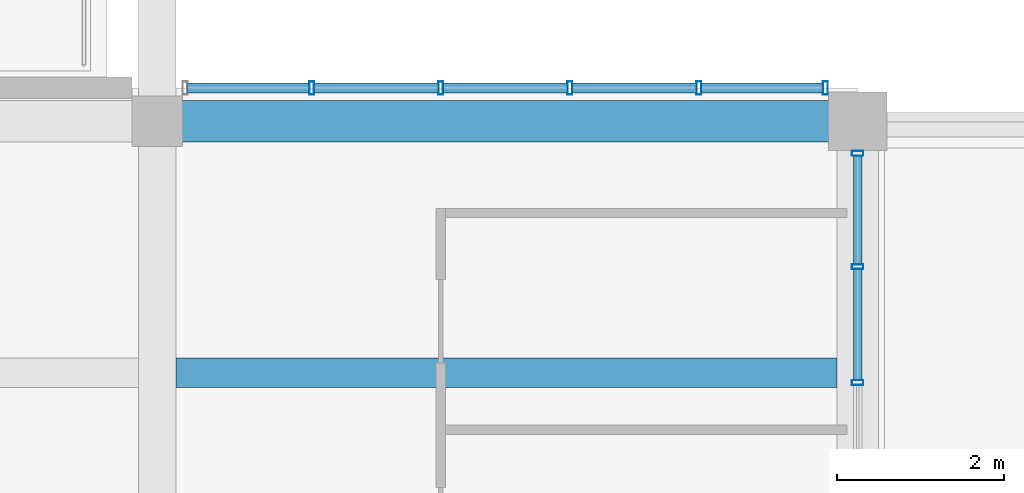
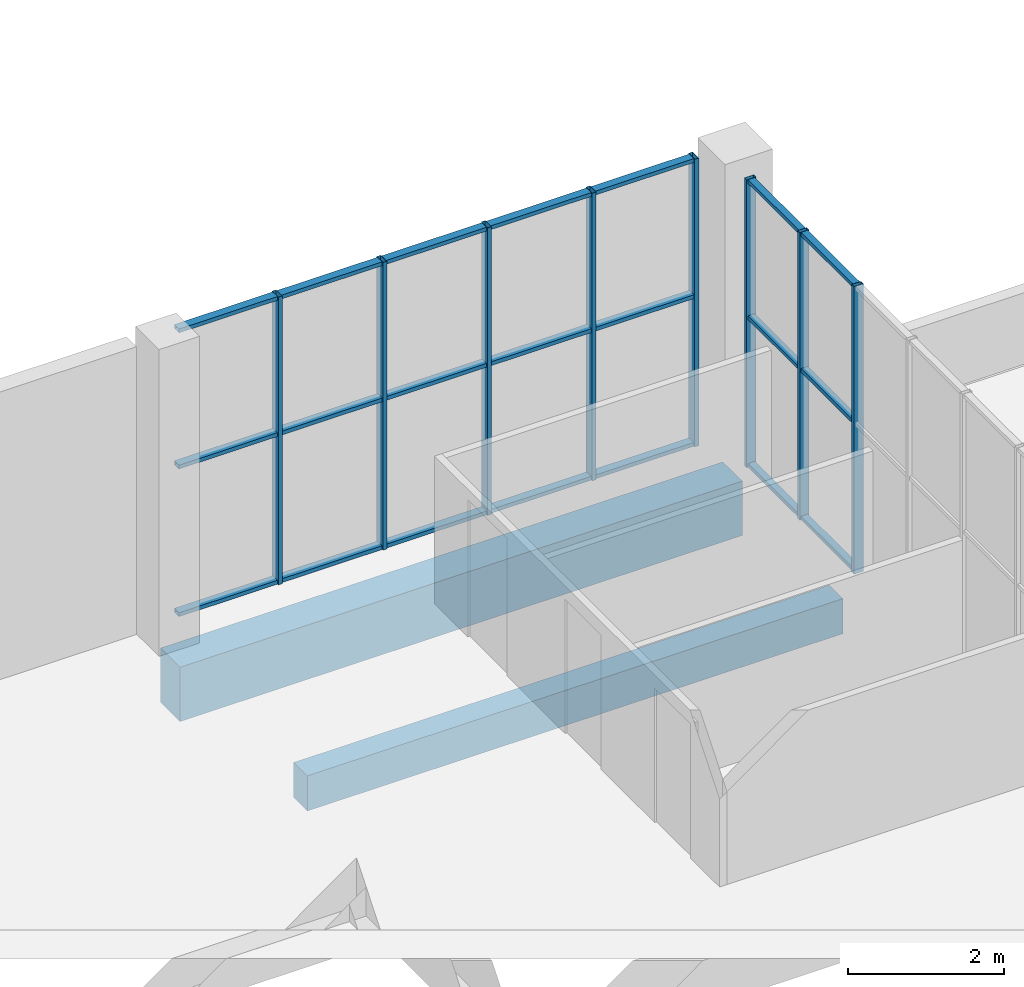
# One storey, part 25 of 80: 29 members, 2 beams, 2 elements without a shape of their own.
"""IFC4 building model written with IfcOpenShell, lengths in metres."""

from ifc_helpers import new_model, si_unit, direction, frame, origin, origin_2d, place, context, subcontext, project, spatial, rectangle, hollow_rectangle, extrude, material, material_profile, profile_set, type_object, element, aggregate, save


model = new_model("IFC4")

# Units and contexts
model_context = context("Model", 3, precision=1e-05, world=origin(), true_north=direction((0.0, 1.0)))
body_context = subcontext(model_context, "Body", "Model", "MODEL_VIEW")
ifc_project = project(units=[si_unit("LENGTHUNIT", "METRE"), si_unit("AREAUNIT", "SQUARE_METRE"), si_unit("VOLUMEUNIT", "CUBIC_METRE"), si_unit("PLANEANGLEUNIT", "RADIAN"), si_unit("MASSUNIT", "GRAM", prefix="KILO")], contexts=[model_context])

# Site, building, storey
site_placement = place(None, origin())
site = spatial("IfcSite", under=ifc_project, at=site_placement, CompositionType="ELEMENT")
building_placement = place(site_placement, origin())
building = spatial("IfcBuilding", under=site, at=building_placement, Name="Khurvash Pelagic Aquarium", CompositionType="ELEMENT")
storey_placement = place(building_placement, frame((0.0, 0.0, 10.800048828125)))
storey = spatial("IfcBuildingStorey", under=building, at=storey_placement, Name="L02", CompositionType="ELEMENT", Elevation=10.800048828125)

# Curtain wall, members
ifc_material_1 = material(Name="Anodised aluminium and low-E laminated glass", Category="aluminium")
curtain_wall_type_1 = type_object("IfcCurtainWallType", Name="CW-06", PredefinedType="USERDEFINED", material=ifc_material_1)
curtain_wall_1_placement = place(storey_placement, origin())
curtain_wall_1 = element("IfcCurtainWall", 1, at=curtain_wall_1_placement, inside=storey, type_object=curtain_wall_type_1, Name="L02 Facade Unitised Curtain Wall CW-06 0159", ObjectType="UNITISED CURTAIN WALL", PredefinedType="USERDEFINED")
ifc_material_2 = material(Name="Extruded aluminium AW-6063-T6", Category="aluminium")
ifc_material_profile_1 = material_profile(ifc_material_2, hollow_rectangle(XDim=0.06005859375, YDim=0.159912109375, WallThickness=0.00390625, at=origin_2d()), Name="CWM60X160X4")
ifc_profile_set_1 = profile_set([ifc_material_profile_1], Name="Extruded aluminium AW-6063-T6")
member_type_1 = type_object("IfcMemberType", Name="CM-02", PredefinedType="MULLION", material=ifc_profile_set_1)
member_1_placement = place(storey_placement, frame((108.81494140625, 30.14990234375, 0.0), z_axis=(0.0, 0.0, 1.0), x_axis=(-1.0, 0.0, 0.0)))
member_1 = element("IfcMember", 2, at=member_1_placement, type_object=member_type_1, Name="CW-06 mullion 1", PredefinedType="MULLION", context=body_context, shape_type="SweptSolid", body=[
    extrude(hollow_rectangle(XDim=0.06005859375, YDim=0.159912109375, WallThickness=0.00390625, at=origin_2d()), origin(), (0.0, 0.0, 1.0), 4.5),
])
member_2_placement = place(storey_placement, frame((107.297119140625, 30.14990234375, 0.0), z_axis=(0.0, 0.0, 1.0), x_axis=(-1.0, 0.0, 0.0)))
member_2 = element("IfcMember", 3, at=member_2_placement, type_object=member_type_1, Name="CW-06 mullion 2", PredefinedType="MULLION", context=body_context, shape_type="SweptSolid", body=[
    extrude(hollow_rectangle(XDim=0.06005859375, YDim=0.159912109375, WallThickness=0.00390625, at=origin_2d()), origin(), (0.0, 0.0, 1.0), 4.5),
])
member_3_placement = place(storey_placement, frame((105.7490234375, 30.14990234375, 0.0), z_axis=(0.0, 0.0, 1.0), x_axis=(-1.0, 0.0, 0.0)))
member_3 = element("IfcMember", 4, at=member_3_placement, type_object=member_type_1, Name="CW-06 mullion 3", PredefinedType="MULLION", context=body_context, shape_type="SweptSolid", body=[
    extrude(hollow_rectangle(XDim=0.06005859375, YDim=0.159912109375, WallThickness=0.00390625, at=origin_2d()), origin(), (0.0, 0.0, 1.0), 4.5),
])
member_4_placement = place(storey_placement, frame((104.200927734375, 30.14990234375, 0.0), z_axis=(0.0, 0.0, 1.0), x_axis=(-1.0, 0.0, 0.0)))
member_4 = element("IfcMember", 5, at=member_4_placement, type_object=member_type_1, Name="CW-06 mullion 4", PredefinedType="MULLION", context=body_context, shape_type="SweptSolid", body=[
    extrude(hollow_rectangle(XDim=0.06005859375, YDim=0.159912109375, WallThickness=0.00390625, at=origin_2d()), origin(), (0.0, 0.0, 1.0), 4.5),
])
member_5_placement = place(storey_placement, frame((102.653076171875, 30.14990234375, 0.0), z_axis=(0.0, 0.0, 1.0), x_axis=(-1.0, 0.0, 0.0)))
member_5 = element("IfcMember", 6, at=member_5_placement, type_object=member_type_1, Name="CW-06 mullion 5", PredefinedType="MULLION", context=body_context, shape_type="SweptSolid", body=[
    extrude(hollow_rectangle(XDim=0.06005859375, YDim=0.159912109375, WallThickness=0.00390625, at=origin_2d()), origin(), (0.0, 0.0, 1.0), 4.5),
])

curtain_wall_type_2 = type_object("IfcCurtainWallType", Name="CW-03", PredefinedType="USERDEFINED", material=ifc_material_1)
curtain_wall_2_placement = place(storey_placement, origin())
curtain_wall_2 = element("IfcCurtainWall", 7, at=curtain_wall_2_placement, inside=storey, type_object=curtain_wall_type_2, Name="L02 Facade Unitised Curtain Wall CW-03 0158", ObjectType="UNITISED CURTAIN WALL", PredefinedType="USERDEFINED")
ifc_material_profile_2 = material_profile(ifc_material_2, hollow_rectangle(XDim=0.06005859375, YDim=0.139892578125, WallThickness=0.00390625, at=origin_2d()), Name="CWM60X140X4")
ifc_profile_set_2 = profile_set([ifc_material_profile_2], Name="Extruded aluminium AW-6063-T6")
member_type_2 = type_object("IfcMemberType", Name="CM-03", PredefinedType="MULLION", material=ifc_profile_set_2)
member_6_placement = place(storey_placement, frame((109.199951171875, 26.614990234375, 0.0), z_axis=(0.0, 0.0, 1.0), x_axis=(0.0, 1.0, 0.0)))
member_6 = element("IfcMember", 8, at=member_6_placement, type_object=member_type_2, Name="CW-03 mullion 5", PredefinedType="MULLION", context=body_context, shape_type="SweptSolid", body=[
    extrude(hollow_rectangle(XDim=0.06005859375, YDim=0.139892578125, WallThickness=0.00390625, at=origin_2d()), origin(), (0.0, 0.0, 1.0), 4.5),
])
member_7_placement = place(storey_placement, frame((109.199951171875, 28.0048828125, 0.0), z_axis=(0.0, 0.0, 1.0), x_axis=(0.0, 1.0, 0.0)))
member_7 = element("IfcMember", 9, at=member_7_placement, type_object=member_type_2, Name="CW-03 mullion 6", PredefinedType="MULLION", context=body_context, shape_type="SweptSolid", body=[
    extrude(hollow_rectangle(XDim=0.06005859375, YDim=0.139892578125, WallThickness=0.00390625, at=origin_2d()), origin(), (0.0, 0.0, 1.0), 4.5),
])
member_8_placement = place(storey_placement, frame((109.199951171875, 29.364990234375, 0.0), z_axis=(0.0, 0.0, 1.0), x_axis=(0.0, 1.0, 0.0)))
member_8 = element("IfcMember", 10, at=member_8_placement, type_object=member_type_2, Name="CW-03 mullion 7", PredefinedType="MULLION", context=body_context, shape_type="SweptSolid", body=[
    extrude(hollow_rectangle(XDim=0.06005859375, YDim=0.139892578125, WallThickness=0.00390625, at=origin_2d()), origin(), (0.0, 0.0, 1.0), 4.5),
])

# Member
ifc_material_profile_3 = material_profile(ifc_material_2, hollow_rectangle(XDim=0.1201171875, YDim=0.06005859375, WallThickness=0.00390625, at=origin_2d()), Name="CWT120X60X4")
ifc_profile_set_3 = profile_set([ifc_material_profile_3], Name="Extruded aluminium AW-6063-T6")
member_type_3 = type_object("IfcMemberType", Name="CT-02", PredefinedType="USERDEFINED", material=ifc_profile_set_3)
member_9_placement = place(storey_placement, frame((108.784912109375, 30.14990234375, 0.030029296875), z_axis=(-1.0, 0.0, 0.0), x_axis=(0.0, -1.0, 0.0)))
member_9 = element("IfcMember", 11, at=member_9_placement, type_object=member_type_3, Name="CW-06 transom 1.1", ObjectType="TRANSOM", PredefinedType="USERDEFINED", context=body_context, shape_type="SweptSolid", body=[
    extrude(hollow_rectangle(XDim=0.1201171875, YDim=0.06005859375, WallThickness=0.00390625, at=origin_2d()), origin(), (0.0, 0.0, 1.0), 1.4580078125),
])

member_10_placement = place(storey_placement, frame((108.784912109375, 30.14990234375, 2.33984375), z_axis=(-1.0, 0.0, 0.0), x_axis=(0.0, -1.0, 0.0)))
member_10 = element("IfcMember", 12, at=member_10_placement, type_object=member_type_3, Name="CW-06 transom 1.2", ObjectType="TRANSOM", PredefinedType="USERDEFINED", context=body_context, shape_type="SweptSolid", body=[
    extrude(hollow_rectangle(XDim=0.1201171875, YDim=0.06005859375, WallThickness=0.00390625, at=origin_2d()), origin(), (0.0, 0.0, 1.0), 1.4580078125),
])

member_11_placement = place(storey_placement, frame((108.784912109375, 30.14990234375, 4.469970703125), z_axis=(-1.0, 0.0, 0.0), x_axis=(0.0, -1.0, 0.0)))
member_11 = element("IfcMember", 13, at=member_11_placement, type_object=member_type_3, Name="CW-06 transom 1.3", ObjectType="TRANSOM", PredefinedType="USERDEFINED", context=body_context, shape_type="SweptSolid", body=[
    extrude(hollow_rectangle(XDim=0.1201171875, YDim=0.06005859375, WallThickness=0.00390625, at=origin_2d()), origin(), (0.0, 0.0, 1.0), 1.4580078125),
])

member_12_placement = place(storey_placement, frame((107.26708984375, 30.14990234375, 0.030029296875), z_axis=(-1.0, 0.0, 0.0), x_axis=(0.0, -1.0, 0.0)))
member_12 = element("IfcMember", 14, at=member_12_placement, type_object=member_type_3, Name="CW-06 transom 2.1", ObjectType="TRANSOM", PredefinedType="USERDEFINED", context=body_context, shape_type="SweptSolid", body=[
    extrude(hollow_rectangle(XDim=0.1201171875, YDim=0.06005859375, WallThickness=0.00390625, at=origin_2d()), origin(), (0.0, 0.0, 1.0), 1.488037109375),
])

member_13_placement = place(storey_placement, frame((107.26708984375, 30.14990234375, 2.33984375), z_axis=(-1.0, 0.0, 0.0), x_axis=(0.0, -1.0, 0.0)))
member_13 = element("IfcMember", 15, at=member_13_placement, type_object=member_type_3, Name="CW-06 transom 2.2", ObjectType="TRANSOM", PredefinedType="USERDEFINED", context=body_context, shape_type="SweptSolid", body=[
    extrude(hollow_rectangle(XDim=0.1201171875, YDim=0.06005859375, WallThickness=0.00390625, at=origin_2d()), origin(), (0.0, 0.0, 1.0), 1.488037109375),
])

member_14_placement = place(storey_placement, frame((107.26708984375, 30.14990234375, 4.469970703125), z_axis=(-1.0, 0.0, 0.0), x_axis=(0.0, -1.0, 0.0)))
member_14 = element("IfcMember", 16, at=member_14_placement, type_object=member_type_3, Name="CW-06 transom 2.3", ObjectType="TRANSOM", PredefinedType="USERDEFINED", context=body_context, shape_type="SweptSolid", body=[
    extrude(hollow_rectangle(XDim=0.1201171875, YDim=0.06005859375, WallThickness=0.00390625, at=origin_2d()), origin(), (0.0, 0.0, 1.0), 1.488037109375),
])

member_15_placement = place(storey_placement, frame((105.718994140625, 30.14990234375, 0.030029296875), z_axis=(-1.0, 0.0, 0.0), x_axis=(0.0, -1.0, 0.0)))
member_15 = element("IfcMember", 17, at=member_15_placement, type_object=member_type_3, Name="CW-06 transom 3.1", ObjectType="TRANSOM", PredefinedType="USERDEFINED", context=body_context, shape_type="SweptSolid", body=[
    extrude(hollow_rectangle(XDim=0.1201171875, YDim=0.06005859375, WallThickness=0.00390625, at=origin_2d()), origin(), (0.0, 0.0, 1.0), 1.488037109375),
])

member_16_placement = place(storey_placement, frame((105.718994140625, 30.14990234375, 2.33984375), z_axis=(-1.0, 0.0, 0.0), x_axis=(0.0, -1.0, 0.0)))
member_16 = element("IfcMember", 18, at=member_16_placement, type_object=member_type_3, Name="CW-06 transom 3.2", ObjectType="TRANSOM", PredefinedType="USERDEFINED", context=body_context, shape_type="SweptSolid", body=[
    extrude(hollow_rectangle(XDim=0.1201171875, YDim=0.06005859375, WallThickness=0.00390625, at=origin_2d()), origin(), (0.0, 0.0, 1.0), 1.488037109375),
])

member_17_placement = place(storey_placement, frame((105.718994140625, 30.14990234375, 4.469970703125), z_axis=(-1.0, 0.0, 0.0), x_axis=(0.0, -1.0, 0.0)))
member_17 = element("IfcMember", 19, at=member_17_placement, type_object=member_type_3, Name="CW-06 transom 3.3", ObjectType="TRANSOM", PredefinedType="USERDEFINED", context=body_context, shape_type="SweptSolid", body=[
    extrude(hollow_rectangle(XDim=0.1201171875, YDim=0.06005859375, WallThickness=0.00390625, at=origin_2d()), origin(), (0.0, 0.0, 1.0), 1.488037109375),
])

member_18_placement = place(storey_placement, frame((104.1708984375, 30.14990234375, 0.030029296875), z_axis=(-1.0, 0.0, 0.0), x_axis=(0.0, -1.0, 0.0)))
member_18 = element("IfcMember", 20, at=member_18_placement, type_object=member_type_3, Name="CW-06 transom 4.1", ObjectType="TRANSOM", PredefinedType="USERDEFINED", context=body_context, shape_type="SweptSolid", body=[
    extrude(hollow_rectangle(XDim=0.1201171875, YDim=0.06005859375, WallThickness=0.00390625, at=origin_2d()), origin(), (0.0, 0.0, 1.0), 1.48779296875),
])

member_19_placement = place(storey_placement, frame((104.1708984375, 30.14990234375, 2.33984375), z_axis=(-1.0, 0.0, 0.0), x_axis=(0.0, -1.0, 0.0)))
member_19 = element("IfcMember", 21, at=member_19_placement, type_object=member_type_3, Name="CW-06 transom 4.2", ObjectType="TRANSOM", PredefinedType="USERDEFINED", context=body_context, shape_type="SweptSolid", body=[
    extrude(hollow_rectangle(XDim=0.1201171875, YDim=0.06005859375, WallThickness=0.00390625, at=origin_2d()), origin(), (0.0, 0.0, 1.0), 1.48779296875),
])

member_20_placement = place(storey_placement, frame((104.1708984375, 30.14990234375, 4.469970703125), z_axis=(-1.0, 0.0, 0.0), x_axis=(0.0, -1.0, 0.0)))
member_20 = element("IfcMember", 22, at=member_20_placement, type_object=member_type_3, Name="CW-06 transom 4.3", ObjectType="TRANSOM", PredefinedType="USERDEFINED", context=body_context, shape_type="SweptSolid", body=[
    extrude(hollow_rectangle(XDim=0.1201171875, YDim=0.06005859375, WallThickness=0.00390625, at=origin_2d()), origin(), (0.0, 0.0, 1.0), 1.48779296875),
])

member_21_placement = place(storey_placement, frame((102.623046875, 30.14990234375, 0.030029296875), z_axis=(-1.0, 0.0, 0.0), x_axis=(0.0, -1.0, 0.0)))
member_21 = element("IfcMember", 23, at=member_21_placement, type_object=member_type_3, Name="CW-06 transom 5.1", ObjectType="TRANSOM", PredefinedType="USERDEFINED", context=body_context, shape_type="SweptSolid", body=[
    extrude(hollow_rectangle(XDim=0.1201171875, YDim=0.06005859375, WallThickness=0.00390625, at=origin_2d()), origin(), (0.0, 0.0, 1.0), 1.4580078125),
])

member_22_placement = place(storey_placement, frame((102.623046875, 30.14990234375, 2.33984375), z_axis=(-1.0, 0.0, 0.0), x_axis=(0.0, -1.0, 0.0)))
member_22 = element("IfcMember", 24, at=member_22_placement, type_object=member_type_3, Name="CW-06 transom 5.2", ObjectType="TRANSOM", PredefinedType="USERDEFINED", context=body_context, shape_type="SweptSolid", body=[
    extrude(hollow_rectangle(XDim=0.1201171875, YDim=0.06005859375, WallThickness=0.00390625, at=origin_2d()), origin(), (0.0, 0.0, 1.0), 1.4580078125),
])

member_23_placement = place(storey_placement, frame((102.623046875, 30.14990234375, 4.469970703125), z_axis=(-1.0, 0.0, 0.0), x_axis=(0.0, -1.0, 0.0)))
member_23 = element("IfcMember", 25, at=member_23_placement, type_object=member_type_3, Name="CW-06 transom 5.3", ObjectType="TRANSOM", PredefinedType="USERDEFINED", context=body_context, shape_type="SweptSolid", body=[
    extrude(hollow_rectangle(XDim=0.1201171875, YDim=0.06005859375, WallThickness=0.00390625, at=origin_2d()), origin(), (0.0, 0.0, 1.0), 1.4580078125),
])

aggregate(curtain_wall_1, [member_1, member_2, member_3, member_4, member_5, member_9, member_10, member_11, member_12, member_13, member_14, member_15, member_16, member_17, member_18, member_19, member_20, member_21, member_22, member_23])

ifc_material_profile_4 = material_profile(ifc_material_2, hollow_rectangle(XDim=0.10009765625, YDim=0.06005859375, WallThickness=0.00390625, at=origin_2d()), Name="CWT100X60X4")
ifc_profile_set_4 = profile_set([ifc_material_profile_4], Name="Extruded aluminium AW-6063-T6")
member_type_4 = type_object("IfcMemberType", Name="CT-03", PredefinedType="USERDEFINED", material=ifc_profile_set_4)
member_24_placement = place(storey_placement, frame((109.199951171875, 26.64501953125, 0.030029296875), z_axis=(0.0, 1.0, 0.0), x_axis=(-1.0, 0.0, 0.0)))
member_24 = element("IfcMember", 26, at=member_24_placement, type_object=member_type_4, Name="CW-03 transom 5.1", ObjectType="TRANSOM", PredefinedType="USERDEFINED", context=body_context, shape_type="SweptSolid", body=[
    extrude(hollow_rectangle(XDim=0.10009765625, YDim=0.06005859375, WallThickness=0.00390625, at=origin_2d()), origin(), (0.0, 0.0, 1.0), 1.330078125),
])

member_25_placement = place(storey_placement, frame((109.199951171875, 26.64501953125, 2.33984375), z_axis=(0.0, 1.0, 0.0), x_axis=(-1.0, 0.0, 0.0)))
member_25 = element("IfcMember", 27, at=member_25_placement, type_object=member_type_4, Name="CW-03 transom 5.2", ObjectType="TRANSOM", PredefinedType="USERDEFINED", context=body_context, shape_type="SweptSolid", body=[
    extrude(hollow_rectangle(XDim=0.10009765625, YDim=0.06005859375, WallThickness=0.00390625, at=origin_2d()), origin(), (0.0, 0.0, 1.0), 1.330078125),
])

member_26_placement = place(storey_placement, frame((109.199951171875, 26.64501953125, 4.469970703125), z_axis=(0.0, 1.0, 0.0), x_axis=(-1.0, 0.0, 0.0)))
member_26 = element("IfcMember", 28, at=member_26_placement, type_object=member_type_4, Name="CW-03 transom 5.3", ObjectType="TRANSOM", PredefinedType="USERDEFINED", context=body_context, shape_type="SweptSolid", body=[
    extrude(hollow_rectangle(XDim=0.10009765625, YDim=0.06005859375, WallThickness=0.00390625, at=origin_2d()), origin(), (0.0, 0.0, 1.0), 1.330078125),
])

member_27_placement = place(storey_placement, frame((109.199951171875, 28.034912109375, 0.030029296875), z_axis=(0.0, 1.0, 0.0), x_axis=(-1.0, 0.0, 0.0)))
member_27 = element("IfcMember", 29, at=member_27_placement, type_object=member_type_4, Name="CW-03 transom 6.1", ObjectType="TRANSOM", PredefinedType="USERDEFINED", context=body_context, shape_type="SweptSolid", body=[
    extrude(hollow_rectangle(XDim=0.10009765625, YDim=0.06005859375, WallThickness=0.00390625, at=origin_2d()), origin(), (0.0, 0.0, 1.0), 1.300048828125),
])

member_28_placement = place(storey_placement, frame((109.199951171875, 28.034912109375, 2.33984375), z_axis=(0.0, 1.0, 0.0), x_axis=(-1.0, 0.0, 0.0)))
member_28 = element("IfcMember", 30, at=member_28_placement, type_object=member_type_4, Name="CW-03 transom 6.2", ObjectType="TRANSOM", PredefinedType="USERDEFINED", context=body_context, shape_type="SweptSolid", body=[
    extrude(hollow_rectangle(XDim=0.10009765625, YDim=0.06005859375, WallThickness=0.00390625, at=origin_2d()), origin(), (0.0, 0.0, 1.0), 1.300048828125),
])

member_29_placement = place(storey_placement, frame((109.199951171875, 28.034912109375, 4.469970703125), z_axis=(0.0, 1.0, 0.0), x_axis=(-1.0, 0.0, 0.0)))
member_29 = element("IfcMember", 31, at=member_29_placement, type_object=member_type_4, Name="CW-03 transom 6.3", ObjectType="TRANSOM", PredefinedType="USERDEFINED", context=body_context, shape_type="SweptSolid", body=[
    extrude(hollow_rectangle(XDim=0.10009765625, YDim=0.06005859375, WallThickness=0.00390625, at=origin_2d()), origin(), (0.0, 0.0, 1.0), 1.300048828125),
])

aggregate(curtain_wall_2, [member_6, member_7, member_8, member_24, member_25, member_26, member_27, member_28, member_29])

# Beams
ifc_material_3 = material(Name="Concrete C35/45", Category="concrete")
ifc_material_profile_5 = material_profile(ifc_material_3, rectangle(XDim=0.35009765625, YDim=0.550048828125, at=origin_2d()), Name="RC350X550")
ifc_profile_set_5 = profile_set([ifc_material_profile_5], Name="Concrete C35/45")
beam_type_1 = type_object("IfcBeamType", Name="JS-01", PredefinedType="JOIST", material=ifc_profile_set_5)
beam_1_placement = place(storey_placement, frame((101.02490234375, 26.73291015625, -0.574951171875), z_axis=(1.0, 0.0, 0.0), x_axis=(0.0, 1.0, 0.0)))
element("IfcBeam", 32, at=beam_1_placement, inside=storey, type_object=beam_type_1, Name="L02 Floor Joist JS-01 00818", PredefinedType="JOIST", context=body_context, shape_type="SweptSolid", body=[
    extrude(rectangle(XDim=0.35009765625, YDim=0.550048828125, at=origin_2d()), origin(), (0.0, 0.0, 1.0), 7.925048828125),
])
ifc_material_4 = material(Name="Concrete C40/50", Category="concrete")
ifc_material_profile_6 = material_profile(ifc_material_4, rectangle(XDim=0.5, YDim=0.85009765625, at=origin_2d()), Name="RC500X850")
ifc_profile_set_6 = profile_set([ifc_material_profile_6], Name="Concrete C40/50")
beam_type_2 = type_object("IfcBeamType", Name="SEB-03", PredefinedType="SPANDREL", material=ifc_profile_set_6)
beam_2_placement = place(storey_placement, frame((100.840087890625, 29.75, -0.7451171875), z_axis=(1.0, 0.0, 0.0), x_axis=(0.0, 1.0, 0.0)))
element("IfcBeam", 33, at=beam_2_placement, inside=storey, type_object=beam_type_2, Name="L02 Primary Girder SEB-03 00600", PredefinedType="SPANDREL", context=body_context, shape_type="SweptSolid", body=[
    extrude(rectangle(XDim=0.5, YDim=0.85009765625, at=origin_2d()), origin(), (0.0, 0.0, 1.0), 8.31982421875),
])

save(model, "model.ifc")
